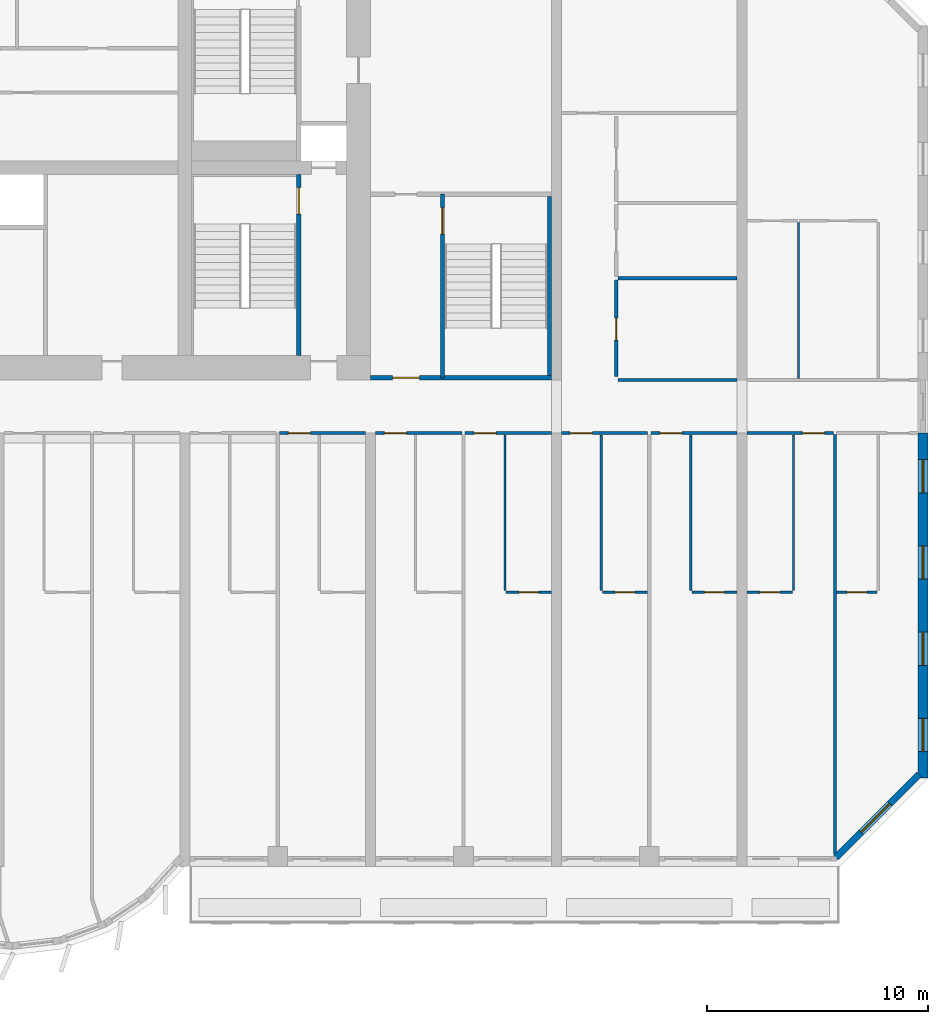
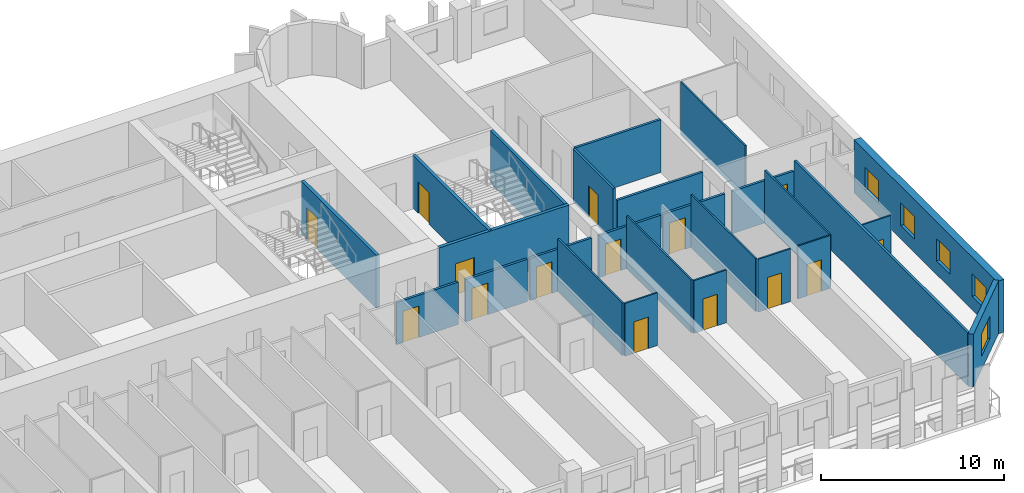
# One storey, part 9 of 15: 26 walls, 15 doors, 5 windows, 20 openings.
"""IFC4 building model written with IfcOpenShell, lengths in metres."""

import ifcopenshell
import ifcopenshell.guid

model = None  # the IFC model being written
_history = None  # IfcOwnerHistory: only IFC2X3 demands one
_inside = {}  # id of a spatial element -> (the spatial element, [elements in it])
_under = {}  # id of a project, library or spatial element -> (it, [spatial elements below it])
_declared = {}  # id of a project -> (the project, [libraries it declares])
_typed = {}  # id of a type object -> (the type object, [elements of that type])
_made_of = {}  # id of a material, layer set ... -> (it, [elements and type objects made of it])


def new_model(schema):
    """Start an empty IFC model of exactly this schema.

    Asked for "IFC4X3", IfcOpenShell would pick the latest addendum, in which some entities
    have other attributes; the version numbers below select the first issue.
    IFC2X3 requires an IfcOwnerHistory on every rooted entity: one is made here for all.
    """
    global model, _history
    if schema == "IFC4X3":
        model = ifcopenshell.file(schema_version=(4, 3, 0, 0))
    else:
        model = ifcopenshell.file(schema=schema)
    _inside.clear()
    _under.clear()
    _declared.clear()
    _typed.clear()
    _made_of.clear()
    _history = None
    if model.schema == "IFC2X3":
        org = make("IfcOrganization", Name="unknown")
        user = make(
            "IfcPersonAndOrganization",
            ThePerson=make("IfcPerson", FamilyName="unknown"),
            TheOrganization=org,
        )
        app = make(
            "IfcApplication",
            ApplicationDeveloper=org,
            Version="unknown",
            ApplicationFullName="unknown",
            ApplicationIdentifier="unknown",
        )
        _history = make(
            "IfcOwnerHistory",
            OwningUser=user,
            OwningApplication=app,
            ChangeAction="ADDED",
            CreationDate=0,
        )
    return model


def make(cls, **values):
    """One entity of the class cls with the attributes given. An attribute that is None is left unset."""
    return model.create_entity(
        cls, **{name: value for name, value in values.items() if value is not None}
    )


def rooted(cls, **values):
    """An entity with a GlobalId (a new one), such as an element, a storey or a relation."""
    return make(cls, GlobalId=ifcopenshell.guid.new(), OwnerHistory=_history, **values)


def si_unit(unit_type, name, prefix=None):
    """IfcSIUnit, for example si_unit("LENGTHUNIT", "METRE", prefix="MILLI")."""
    return make("IfcSIUnit", UnitType=unit_type, Prefix=prefix, Name=name)


def assignment(units):
    """IfcUnitAssignment: the units of a project."""
    return None if units is None else make("IfcUnitAssignment", Units=units)


def point(xyz):
    """IfcCartesianPoint."""
    return None if xyz is None else make("IfcCartesianPoint", Coordinates=xyz)


def direction(xyz):
    """IfcDirection."""
    return None if xyz is None else make("IfcDirection", DirectionRatios=xyz)


def frame(location, z_axis=None, x_axis=None):
    """IfcAxis2Placement3D, a coordinate frame: its origin and axes. An axis left out is left unset."""
    return make(
        "IfcAxis2Placement3D",
        Location=point(location),
        Axis=direction(z_axis),
        RefDirection=direction(x_axis),
    )


def frame_2d(location, x_axis=None):
    """IfcAxis2Placement2D, a coordinate frame in the plane: its origin and x axis."""
    return make(
        "IfcAxis2Placement2D", Location=point(location), RefDirection=direction(x_axis)
    )


def origin():
    """The frame at (0, 0, 0) with its axes left unset."""
    return frame((0.0, 0.0, 0.0))


def place(relative_to, where):
    """IfcLocalPlacement: puts the frame where relative to a parent placement (None: the world)."""
    return make(
        "IfcLocalPlacement", PlacementRelTo=relative_to, RelativePlacement=where
    )


def context(
    kind, dimensions, precision=None, world=None, true_north=None, identifier=None
):
    """IfcGeometricRepresentationContext, for example the 3D "Model" context."""
    return make(
        "IfcGeometricRepresentationContext",
        ContextIdentifier=identifier,
        ContextType=kind,
        CoordinateSpaceDimension=dimensions,
        Precision=precision,
        WorldCoordinateSystem=world,
        TrueNorth=true_north,
    )


def subcontext(parent, identifier, kind, view, scale=None):
    """IfcGeometricRepresentationSubContext, for example "Body" below "Model"."""
    return make(
        "IfcGeometricRepresentationSubContext",
        ContextIdentifier=identifier,
        ContextType=kind,
        ParentContext=parent,
        TargetScale=scale,
        TargetView=view,
    )


def project(units=None, contexts=None):
    """IfcProject with its units and contexts."""
    return rooted(
        "IfcProject",
        Name="project",
        RepresentationContexts=contexts,
        UnitsInContext=assignment(units),
    )


def spatial(cls, under=None, at=None, **own):
    """A site, building, storey or space (cls), placed at a placement, below another one or the project."""
    s = rooted(cls, ObjectPlacement=at, **own)
    if under is not None:
        _under.setdefault(under.id(), (under, []))[1].append(s)
    return s


def profile(cls, at=None, kind="AREA", **sizes):
    """A parametric profile (cls). Its sizes go by their IFC names, for example OverallWidth=200.0."""
    return make(cls, ProfileType=kind, Position=at, **sizes)


def rectangle(**sizes):
    """IfcRectangleProfileDef."""
    return profile("IfcRectangleProfileDef", **sizes)


def extrude(swept, where, along, depth):
    """IfcExtrudedAreaSolid: the profile swept, set in the frame where, extruded along a direction by depth."""
    return make(
        "IfcExtrudedAreaSolid",
        SweptArea=swept,
        Position=where,
        ExtrudedDirection=direction(along),
        Depth=depth,
    )


def shape(context_of_items, identifier, shape_type, items):
    """IfcShapeRepresentation: the items that make up one representation, for example the "Body"."""
    return make(
        "IfcShapeRepresentation",
        ContextOfItems=context_of_items,
        RepresentationIdentifier=identifier,
        RepresentationType=shape_type,
        Items=items,
    )


def source(mapping_origin, context_of_items, identifier, shape_type, items):
    """IfcRepresentationMap: a shape defined once, which mapped items show again and again."""
    return make(
        "IfcRepresentationMap",
        MappingOrigin=mapping_origin,
        MappedRepresentation=shape(context_of_items, identifier, shape_type, items),
    )


def transform(
    local_origin,
    x_axis=None,
    y_axis=None,
    z_axis=None,
    scale=None,
    scale2=None,
    scale3=None,
    uniform=True,
):
    """IfcCartesianTransformationOperator3D, or its non-uniform kind. x_axis, y_axis, z_axis: its Axis1, 2, 3."""
    if uniform:
        return make(
            "IfcCartesianTransformationOperator3D",
            Axis1=direction(x_axis),
            Axis2=direction(y_axis),
            LocalOrigin=point(local_origin),
            Scale=scale,
            Axis3=direction(z_axis),
        )
    return make(
        "IfcCartesianTransformationOperator3DnonUniform",
        Axis1=direction(x_axis),
        Axis2=direction(y_axis),
        LocalOrigin=point(local_origin),
        Scale=scale,
        Axis3=direction(z_axis),
        Scale2=scale2,
        Scale3=scale3,
    )


def mapped(mapping_source, mapping_target):
    """IfcMappedItem: shows the shape of a source again, moved by a transform."""
    return make(
        "IfcMappedItem", MappingSource=mapping_source, MappingTarget=mapping_target
    )


def material(Name=None, Category=None):
    """IfcMaterial."""
    return make("IfcMaterial", Name=Name, Category=Category)


def layer(
    of_material, thickness, ventilated=None, Name=None, Category=None, Priority=None
):
    """IfcMaterialLayer: one layer of a wall or slab, of a material (None: an air gap)."""
    return make(
        "IfcMaterialLayer",
        Material=of_material,
        LayerThickness=thickness,
        IsVentilated=ventilated,
        Name=Name,
        Category=Category,
        Priority=Priority,
    )


def layer_set(layers, Name=None):
    """IfcMaterialLayerSet."""
    return make("IfcMaterialLayerSet", MaterialLayers=layers, LayerSetName=Name)


def made_of(thing, what):
    """Note that an element or type object is made of a material, layer set ...; save() writes the relation."""
    if what is not None:
        _made_of.setdefault(what.id(), (what, []))[1].append(thing)
    return thing


def type_object(cls, material=None, **own):
    """A type object (cls), such as IfcWallType, which elements share."""
    return made_of(rooted(cls, **own), material)


def element(
    cls,
    number,
    at=None,
    inside=None,
    cuts=None,
    type_object=None,
    material=None,
    context=None,
    identifier="Body",
    shape_type=None,
    held_by="IfcProductDefinitionShape",
    body=None,
    shapes=None,
    **own,
):
    """One element of the class cls, such as IfcWall. Its Tag is "e" and its number.

    at: its placement. inside: the storey or other place that contains it. cuts: it is an
    opening in that element (IfcRelVoidsElement). A single representation is given by context,
    identifier, shape_type and body (its items); several are given by shapes. held_by: the class
    of the entity that holds the representations. save() writes the other relations.
    """
    e = rooted(cls, Tag="e%d" % number, ObjectPlacement=at, **own)
    if body is not None:
        shapes = [shape(context, identifier, shape_type, body)]
    if shapes is not None:
        e.Representation = make(held_by, Representations=shapes)
    if inside is not None:
        _inside.setdefault(inside.id(), (inside, []))[1].append(e)
    if cuts is not None:
        rooted(
            "IfcRelVoidsElement", RelatingBuildingElement=cuts, RelatedOpeningElement=e
        )
    if type_object is not None:
        _typed.setdefault(type_object.id(), (type_object, []))[1].append(e)
    return made_of(e, material)


def fill(opening, filler):
    """IfcRelFillsElement: the door or window that sits in an opening."""
    return rooted(
        "IfcRelFillsElement",
        RelatingOpeningElement=opening,
        RelatedBuildingElement=filler,
    )


def aggregate(whole, parts):
    """IfcRelAggregates: a whole, such as a stair, and the parts it consists of."""
    return rooted("IfcRelAggregates", RelatingObject=whole, RelatedObjects=parts)


def save(model, path):
    """Write the relations noted so far, then the file.

    IfcRelAggregates (storeys below a building ...), IfcRelContainedInSpatialStructure (elements
    in a storey), IfcRelDefinesByType, IfcRelAssociatesMaterial and IfcRelDeclares: one each for
    every whole, place, type object, material and project.
    """
    for whole, parts in _under.values():
        aggregate(whole, parts)
    for where, things in _inside.values():
        rooted(
            "IfcRelContainedInSpatialStructure",
            RelatedElements=things,
            RelatingStructure=where,
        )
    for kind, things in _typed.values():
        rooted("IfcRelDefinesByType", RelatedObjects=things, RelatingType=kind)
    for what, things in _made_of.values():
        rooted("IfcRelAssociatesMaterial", RelatedObjects=things, RelatingMaterial=what)
    for by, libraries in _declared.values():
        rooted("IfcRelDeclares", RelatingContext=by, RelatedDefinitions=libraries)
    model.write(path)


model = new_model("IFC4")

# Units and contexts
model_context = context("Model", 3, precision=1e-05, world=origin(), true_north=direction((0.0, 1.0)))
body_context = subcontext(model_context, "Body", "Model", "MODEL_VIEW")
ifc_project = project(units=[si_unit("LENGTHUNIT", "METRE"), si_unit("AREAUNIT", "SQUARE_METRE"), si_unit("VOLUMEUNIT", "CUBIC_METRE"), si_unit("PLANEANGLEUNIT", "RADIAN"), si_unit("MASSUNIT", "GRAM", prefix="KILO")], contexts=[model_context])

# Site, building, storey
site_placement = place(None, origin())
site = spatial("IfcSite", under=ifc_project, at=site_placement, CompositionType="ELEMENT")
building_placement = place(site_placement, origin())
building = spatial("IfcBuilding", under=site, at=building_placement, Name="Vanashikhar Sky Hotel", CompositionType="ELEMENT")
storey_placement = place(building_placement, frame((0.0, 0.0, 31.60009765625)))
storey = spatial("IfcBuildingStorey", under=building, at=storey_placement, Name="L06", CompositionType="ELEMENT", Elevation=31.60009765625)

# Wall, openings, windows
ifc_material_1 = material(Name="Concrete M80", Category="concrete")
ifc_layer_1 = layer(ifc_material_1, 0.449951171875)
ifc_layer_set_1 = layer_set([ifc_layer_1], Name="RC shear wall 450 Concrete M80")
wall_type_1 = type_object("IfcWallType", Name="RC shear wall 450 Concrete M80", PredefinedType="SHEAR", material=ifc_layer_set_1)
shared_shape_1 = source(origin(), body_context, "Body", "SweptSolid", [
    extrude(rectangle(XDim=15.60009765625, YDim=0.449951171875, at=frame_2d((7.800048828125, 0.0))), origin(), (0.0, 0.0, 1.0), 3.52001953125),
])
wall_1_placement = place(storey_placement, frame((100.574951171875, 4.0, 0.0), z_axis=(0.0, 0.0, 1.0), x_axis=(0.0, 1.0, 0.0)))
wall_1 = element("IfcWall", 1, at=wall_1_placement, inside=storey, type_object=wall_type_1, Name="CW-L06-XW13-1", PredefinedType="SHEAR", context=body_context, shape_type="MappedRepresentation", body=[
    mapped(shared_shape_1, transform((0.0, 0.0, 0.0), scale=1.0)),
])
shared_shape_2 = source(origin(), body_context, "Body", "SweptSolid", [
    extrude(rectangle(XDim=1.5, YDim=1.5, at=frame_2d((0.75, 0.75))), frame((0.0, 0.23486328125, 0.0), z_axis=(0.0, -1.0, 0.0), x_axis=(1.0, 0.0, 0.0)), (0.0, 0.0, 1.0), 0.469970703125),
])
opening_1_placement = place(wall_1_placement, frame((1.199951171875, 0.0, 0.89990234375)))
opening_1 = element("IfcOpeningElement", 2, at=opening_1_placement, cuts=wall_1, Name="Opening WN-1", PredefinedType="OPENING", context=body_context, shape_type="MappedRepresentation", body=[
    mapped(shared_shape_2, transform((0.0, 0.0, 0.0), scale=1.0)),
])
opening_2_placement = place(wall_1_placement, frame((5.10009765625, 0.0, 0.89990234375)))
opening_2 = element("IfcOpeningElement", 3, at=opening_2_placement, cuts=wall_1, Name="Opening WN-1", PredefinedType="OPENING", context=body_context, shape_type="MappedRepresentation", body=[
    mapped(shared_shape_2, transform((0.0, 0.0, 0.0), scale=1.0)),
])
opening_3_placement = place(wall_1_placement, frame((9.0, 0.0, 0.89990234375)))
opening_3 = element("IfcOpeningElement", 4, at=opening_3_placement, cuts=wall_1, Name="Opening WN-1", PredefinedType="OPENING", context=body_context, shape_type="MappedRepresentation", body=[
    mapped(shared_shape_2, transform((0.0, 0.0, 0.0), scale=1.0)),
])
opening_4_placement = place(wall_1_placement, frame((12.89990234375, 0.0, 0.89990234375)))
opening_4 = element("IfcOpeningElement", 5, at=opening_4_placement, cuts=wall_1, Name="Opening WN-1", PredefinedType="OPENING", context=body_context, shape_type="MappedRepresentation", body=[
    mapped(shared_shape_2, transform((0.0, 0.0, 0.0), scale=1.0)),
])
ifc_material_2 = material(Name="Glass", Category="glass")
window_type_1 = type_object("IfcWindowType", Name="Window 1500 x 1500", PartitioningType="SINGLE_PANEL", PredefinedType="WINDOW", material=ifc_material_2)
shared_shape_3 = source(origin(), body_context, "Body", "SweptSolid", [
    extrude(rectangle(XDim=1.5, YDim=1.5, at=frame_2d((0.75, 0.75))), frame((0.0, 0.030029296875, 0.0), z_axis=(0.0, -1.0, 0.0), x_axis=(1.0, 0.0, 0.0)), (0.0, 0.0, 1.0), 0.06005859375),
])
window_1_placement = place(opening_1_placement, origin())
window_1 = element("IfcWindow", 6, at=window_1_placement, inside=storey, type_object=window_type_1, Name="Window WN-1", OverallHeight=1.5, OverallWidth=1.5, PartitioningType="SINGLE_PANEL", PredefinedType="WINDOW", context=body_context, shape_type="MappedRepresentation", body=[
    mapped(shared_shape_3, transform((0.0, 0.0, 0.0), scale=1.0)),
])
fill(opening_1, window_1)
window_2_placement = place(opening_2_placement, origin())
window_2 = element("IfcWindow", 7, at=window_2_placement, inside=storey, type_object=window_type_1, Name="Window WN-1", OverallHeight=1.5, OverallWidth=1.5, PartitioningType="SINGLE_PANEL", PredefinedType="WINDOW", context=body_context, shape_type="MappedRepresentation", body=[
    mapped(shared_shape_3, transform((0.0, 0.0, 0.0), scale=1.0)),
])
fill(opening_2, window_2)
window_3_placement = place(opening_3_placement, origin())
window_3 = element("IfcWindow", 8, at=window_3_placement, inside=storey, type_object=window_type_1, Name="Window WN-1", OverallHeight=1.5, OverallWidth=1.5, PartitioningType="SINGLE_PANEL", PredefinedType="WINDOW", context=body_context, shape_type="MappedRepresentation", body=[
    mapped(shared_shape_3, transform((0.0, 0.0, 0.0), scale=1.0)),
])
fill(opening_3, window_3)
window_4_placement = place(opening_4_placement, origin())
window_4 = element("IfcWindow", 9, at=window_4_placement, inside=storey, type_object=window_type_1, Name="Window WN-1", OverallHeight=1.5, OverallWidth=1.5, PartitioningType="SINGLE_PANEL", PredefinedType="WINDOW", context=body_context, shape_type="MappedRepresentation", body=[
    mapped(shared_shape_3, transform((0.0, 0.0, 0.0), scale=1.0)),
])
fill(opening_4, window_4)

# Wall, opening, window
ifc_material_3 = material(Name="Concrete M50", Category="concrete")
ifc_layer_2 = layer(ifc_material_3, 0.300048828125)
ifc_layer_set_2 = layer_set([ifc_layer_2], Name="Lobe wall 300")
wall_type_2 = type_object("IfcWallType", Name="Lobe wall 300", PredefinedType="SOLIDWALL", material=ifc_layer_set_2)
shared_shape_4 = source(origin(), body_context, "Body", "SweptSolid", [
    extrude(rectangle(XDim=5.32568359375, YDim=0.300048828125, at=frame_2d((2.662841796875, 0.0))), origin(), (0.0, 0.0, 1.0), 3.52001953125),
])
wall_2_placement = place(storey_placement, frame((96.63427734375, 0.39990234375, 0.0), z_axis=(0.0, 0.0, 1.0), x_axis=(0.707083859269, 0.707129702361, 0.0)))
wall_2 = element("IfcWall", 10, at=wall_2_placement, inside=storey, type_object=wall_type_2, Name="Corner wall", PredefinedType="SOLIDWALL", context=body_context, shape_type="MappedRepresentation", body=[
    mapped(shared_shape_4, transform((0.0, 0.0, 0.0), scale=1.0)),
])
shared_shape_5 = source(origin(), body_context, "Body", "SweptSolid", [
    extrude(rectangle(XDim=1.800048828125, YDim=1.5, at=frame_2d((0.89990234375, 0.75))), frame((0.0, 0.16015625, 0.0), z_axis=(0.0, -1.0, 0.0), x_axis=(1.0, 0.0, 0.0)), (0.0, 0.0, 1.0), 0.320068359375),
])
opening_5_placement = place(wall_2_placement, frame((1.636474609375, 0.0, 0.89990234375)))
opening_5 = element("IfcOpeningElement", 11, at=opening_5_placement, cuts=wall_2, Name="Opening WN-4", PredefinedType="OPENING", context=body_context, shape_type="MappedRepresentation", body=[
    mapped(shared_shape_5, transform((0.0, 0.0, 0.0), scale=1.0)),
])
window_type_2 = type_object("IfcWindowType", Name="Corner window 1800 x 1500", PartitioningType="SINGLE_PANEL", PredefinedType="WINDOW", material=ifc_material_2)
shared_shape_6 = source(origin(), body_context, "Body", "SweptSolid", [
    extrude(rectangle(XDim=1.800048828125, YDim=1.5, at=frame_2d((0.89990234375, 0.75))), frame((0.0, 0.030029296875, 0.0), z_axis=(0.0, -1.0, 0.0), x_axis=(1.0, 0.0, 0.0)), (0.0, 0.0, 1.0), 0.06005859375),
])
window_5_placement = place(opening_5_placement, origin())
window_5 = element("IfcWindow", 12, at=window_5_placement, inside=storey, type_object=window_type_2, Name="Window WN-4", OverallHeight=1.5, OverallWidth=1.800048828125, PartitioningType="SINGLE_PANEL", PredefinedType="WINDOW", context=body_context, shape_type="MappedRepresentation", body=[
    mapped(shared_shape_6, transform((0.0, 0.0, 0.0), scale=1.0)),
])
fill(opening_5, window_5)

# Wall, opening, door
ifc_layer_3 = layer(ifc_material_3, 0.199951171875)
ifc_layer_set_3 = layer_set([ifc_layer_3], Name="Stair wall 200")
wall_type_3 = type_object("IfcWallType", Name="Stair wall 200", PredefinedType="SOLIDWALL", material=ifc_layer_set_3)
shared_shape_7 = source(origin(), body_context, "Body", "SweptSolid", [
    extrude(rectangle(XDim=8.199951171875, YDim=0.199951171875, at=frame_2d((4.10009765625, 0.0))), origin(), (0.0, 0.0, 1.0), 3.52001953125),
])
wall_3_placement = place(storey_placement, frame((72.35009765625, 23.10009765625, 0.0), z_axis=(0.0, 0.0, 1.0), x_axis=(0.0, 1.0, 0.0)))
wall_3 = element("IfcWall", 13, at=wall_3_placement, inside=storey, type_object=wall_type_3, Name="Stair wall 200", PredefinedType="SOLIDWALL", context=body_context, shape_type="MappedRepresentation", body=[
    mapped(shared_shape_7, transform((0.0, 0.0, 0.0), scale=1.0)),
])
shared_shape_8 = source(origin(), body_context, "Body", "SweptSolid", [
    extrude(rectangle(XDim=1.199951171875, YDim=2.10009765625, at=frame_2d((0.60009765625, 1.050048828125))), frame((0.0, 0.10986328125, 0.0), z_axis=(0.0, -1.0, 0.0), x_axis=(1.0, 0.0, 0.0)), (0.0, 0.0, 1.0), 0.219970703125),
])
opening_6_placement = place(wall_3_placement, frame((6.39990234375, 0.0, 0.0)))
opening_6 = element("IfcOpeningElement", 14, at=opening_6_placement, cuts=wall_3, Name="Opening DC-1", PredefinedType="OPENING", context=body_context, shape_type="MappedRepresentation", body=[
    mapped(shared_shape_8, transform((0.0, 0.0, 0.0), scale=1.0)),
])
ifc_material_4 = material(Name="Steel", Category="steel")
door_type_1 = type_object("IfcDoorType", Name="Stair door 1200 FD120", OperationType="NOTDEFINED", PredefinedType="DOOR", material=ifc_material_4)
shared_shape_9 = source(origin(), body_context, "Body", "SweptSolid", [
    extrude(rectangle(XDim=1.199951171875, YDim=2.10009765625, at=frame_2d((0.60009765625, 1.050048828125))), frame((0.0, 0.02490234375, 0.0), z_axis=(0.0, -1.0, 0.0), x_axis=(1.0, 0.0, 0.0)), (0.0, 0.0, 1.0), 0.050048828125),
])
door_1_placement = place(opening_6_placement, origin())
door_1 = element("IfcDoor", 15, at=door_1_placement, inside=storey, type_object=door_type_1, Name="Stair door 1200 FD120", OperationType="SINGLE_SWING_LEFT", OverallHeight=2.10009765625, OverallWidth=1.199951171875, PredefinedType="DOOR", context=body_context, shape_type="MappedRepresentation", body=[
    mapped(shared_shape_9, transform((0.0, 0.0, 0.0), scale=1.0)),
])
fill(opening_6, door_1)

shared_shape_10 = source(origin(), body_context, "Body", "SweptSolid", [
    extrude(rectangle(XDim=8.2998046875, YDim=0.199951171875, at=frame_2d((4.14990234375, 0.0))), origin(), (0.0, 0.0, 1.0), 3.52001953125),
])
wall_4_placement = place(storey_placement, frame((78.85009765625, 22.10009765625, 0.0), z_axis=(0.0, 0.0, 1.0), x_axis=(0.0, 1.0, 0.0)))
wall_4 = element("IfcWall", 16, at=wall_4_placement, inside=storey, type_object=wall_type_3, Name="Stair wall 200", PredefinedType="SOLIDWALL", context=body_context, shape_type="MappedRepresentation", body=[
    mapped(shared_shape_10, transform((0.0, 0.0, 0.0), scale=1.0)),
])
opening_7_placement = place(wall_4_placement, frame((6.5, 0.0, 0.0)))
opening_7 = element("IfcOpeningElement", 17, at=opening_7_placement, cuts=wall_4, Name="Opening DC-1", PredefinedType="OPENING", context=body_context, shape_type="MappedRepresentation", body=[
    mapped(shared_shape_8, transform((0.0, 0.0, 0.0), scale=1.0)),
])
door_2_placement = place(opening_7_placement, origin())
door_2 = element("IfcDoor", 18, at=door_2_placement, inside=storey, type_object=door_type_1, Name="Stair door 1200 FD120", OperationType="SINGLE_SWING_RIGHT", OverallHeight=2.10009765625, OverallWidth=1.199951171875, PredefinedType="DOOR", context=body_context, shape_type="MappedRepresentation", body=[
    mapped(shared_shape_9, transform((0.0, 0.0, 0.0), scale=1.0)),
])
fill(opening_7, door_2)

shared_shape_11 = source(origin(), body_context, "Body", "SweptSolid", [
    extrude(rectangle(XDim=8.1748046875, YDim=0.199951171875, at=frame_2d((4.08740234375, 0.0))), origin(), (0.0, 0.0, 1.0), 3.52001953125),
])
wall_5_placement = place(storey_placement, frame((83.77490234375, 22.10009765625, 0.0), z_axis=(0.0, 0.0, 1.0), x_axis=(-1.0, 0.0, 0.0)))
wall_5 = element("IfcWall", 19, at=wall_5_placement, inside=storey, type_object=wall_type_3, Name="Stair wall 200", PredefinedType="SOLIDWALL", context=body_context, shape_type="MappedRepresentation", body=[
    mapped(shared_shape_11, transform((0.0, 0.0, 0.0), scale=1.0)),
])
opening_8_placement = place(wall_5_placement, frame((5.97509765625, 0.0, 0.0)))
opening_8 = element("IfcOpeningElement", 20, at=opening_8_placement, cuts=wall_5, Name="Opening DC-2", PredefinedType="OPENING", context=body_context, shape_type="MappedRepresentation", body=[
    mapped(shared_shape_8, transform((0.0, 0.0, 0.0), scale=1.0)),
])
door_type_2 = type_object("IfcDoorType", Name="Firefighting lobby door 1200 FD120", OperationType="NOTDEFINED", PredefinedType="DOOR", material=ifc_material_4)
door_3_placement = place(opening_8_placement, origin())
door_3 = element("IfcDoor", 21, at=door_3_placement, inside=storey, type_object=door_type_2, Name="Firefighting lobby door 1200 FD120", OperationType="SINGLE_SWING_RIGHT", OverallHeight=2.10009765625, OverallWidth=1.199951171875, PredefinedType="DOOR", context=body_context, shape_type="MappedRepresentation", body=[
    mapped(shared_shape_9, transform((0.0, 0.0, 0.0), scale=1.0)),
])
fill(opening_8, door_3)

# Walls
ifc_layer_4 = layer(ifc_material_3, 0.175048828125)
ifc_layer_set_4 = layer_set([ifc_layer_4], Name="Stair infill wall 175")
wall_type_4 = type_object("IfcWallType", Name="Stair infill wall 175", PredefinedType="SOLIDWALL", material=ifc_layer_set_4)
shared_shape_12 = source(origin(), body_context, "Body", "SweptSolid", [
    extrude(rectangle(XDim=8.10009765625, YDim=0.175048828125, at=frame_2d((4.050048828125, 0.0))), origin(), (0.0, 0.0, 1.0), 3.52001953125),
])
wall_6_placement = place(storey_placement, frame((83.68798828125, 22.199951171875, 0.0), z_axis=(0.0, 0.0, 1.0), x_axis=(0.0, 1.0, 0.0)))
element("IfcWall", 22, at=wall_6_placement, inside=storey, type_object=wall_type_4, Name="Stair infill wall 175", PredefinedType="SOLIDWALL", context=body_context, shape_type="MappedRepresentation", body=[
    mapped(shared_shape_12, transform((0.0, 0.0, 0.0), scale=1.0)),
])
ifc_material_5 = material(Name="Gypsum plasterboard partition")
ifc_layer_5 = layer(ifc_material_5, 0.10009765625)
ifc_layer_set_5 = layer_set([ifc_layer_5], Name="Wet room partition 100")
wall_type_5 = type_object("IfcWallType", Name="Wet room partition 100", PredefinedType="PARTITIONING", material=ifc_layer_set_5)
shared_shape_13 = source(origin(), body_context, "Body", "SweptSolid", [
    extrude(rectangle(XDim=7.0498046875, YDim=0.10009765625, at=frame_2d((3.52490234375, 0.0))), origin(), (0.0, 0.0, 1.0), 3.52001953125),
])
for number, where, z_axis, x_axis, name in (
    (23, (81.675048828125, 12.47509765625, 0.0), (0.0, 0.0, 1.0), (0.0, 1.0, 0.0), "W-L06-PW067"),
    (24, (86.02490234375, 12.47509765625, 0.0), (0.0, 0.0, 1.0), (0.0, 1.0, 0.0), "W-L06-PW071"),
    (25, (90.074951171875, 12.47509765625, 0.0), (0.0, 0.0, 1.0), (0.0, 1.0, 0.0), "W-L06-PW074"),
    (26, (94.72509765625, 12.47509765625, 0.0), (0.0, 0.0, 1.0), (0.0, 1.0, 0.0), "W-L06-PW078"),
):
    element("IfcWall", number, at=place(storey_placement, frame(where, z_axis=z_axis, x_axis=x_axis)), inside=storey, type_object=wall_type_5, Name=name, PredefinedType="PARTITIONING", context=body_context, shape_type="MappedRepresentation", body=[
        mapped(shared_shape_13, transform((0.0, 0.0, 0.0), scale=1.0)),
    ])

# Wall, opening, door
shared_shape_14 = source(origin(), body_context, "Body", "SweptSolid", [
    extrude(rectangle(XDim=1.824951171875, YDim=0.10009765625, at=frame_2d((0.91259765625, 0.0))), origin(), (0.0, 0.0, 1.0), 3.52001953125),
])
wall_7_placement = place(storey_placement, frame((96.675048828125, 12.39990234375, 0.0), z_axis=(0.0, 0.0, 1.0), x_axis=(1.0, 0.0, 0.0)))
wall_7 = element("IfcWall", 27, at=wall_7_placement, inside=storey, type_object=wall_type_5, Name="W-L06-PW082", PredefinedType="PARTITIONING", context=body_context, shape_type="MappedRepresentation", body=[
    mapped(shared_shape_14, transform((0.0, 0.0, 0.0), scale=1.0)),
])
shared_shape_15 = source(origin(), body_context, "Body", "SweptSolid", [
    extrude(rectangle(XDim=0.89990234375, YDim=2.10009765625, at=frame_2d((0.449951171875, 1.050048828125))), frame((0.0, 0.06005859375, 0.0), z_axis=(0.0, -1.0, 0.0), x_axis=(1.0, 0.0, 0.0)), (0.0, 0.0, 1.0), 0.1201171875),
])
opening_9_placement = place(wall_7_placement, frame((0.462890625, 0.0, 0.0)))
opening_9 = element("IfcOpeningElement", 28, at=opening_9_placement, cuts=wall_7, Name="Opening D-02", PredefinedType="OPENING", context=body_context, shape_type="MappedRepresentation", body=[
    mapped(shared_shape_15, transform((0.0, 0.0, 0.0), scale=1.0)),
])
ifc_material_6 = material(Name="Timber door", Category="wood")
door_type_3 = type_object("IfcDoorType", Name="Internal door 900", OperationType="NOTDEFINED", PredefinedType="DOOR", material=ifc_material_6)
shared_shape_16 = source(origin(), body_context, "Body", "SweptSolid", [
    extrude(rectangle(XDim=0.89990234375, YDim=2.10009765625, at=frame_2d((0.449951171875, 1.050048828125))), frame((0.0, 0.02490234375, 0.0), z_axis=(0.0, -1.0, 0.0), x_axis=(1.0, 0.0, 0.0)), (0.0, 0.0, 1.0), 0.050048828125),
])
door_4_placement = place(opening_9_placement, origin())
door_4 = element("IfcDoor", 29, at=door_4_placement, inside=storey, type_object=door_type_3, Name="D-L06-047", OperationType="SINGLE_SWING_RIGHT", OverallHeight=2.10009765625, OverallWidth=0.89990234375, PredefinedType="DOOR", context=body_context, shape_type="MappedRepresentation", body=[
    mapped(shared_shape_16, transform((0.0, 0.0, 0.0), scale=1.0)),
])
fill(opening_9, door_4)

shared_shape_17 = source(origin(), body_context, "Body", "SweptSolid", [
    extrude(rectangle(XDim=2.050048828125, YDim=0.10009765625, at=frame_2d((1.02490234375, 0.0))), origin(), (0.0, 0.0, 1.0), 3.52001953125),
])
wall_8_placement = place(storey_placement, frame((86.074951171875, 12.39990234375, 0.0), z_axis=(0.0, 0.0, 1.0), x_axis=(1.0, 0.0, 0.0)))
wall_8 = element("IfcWall", 30, at=wall_8_placement, inside=storey, type_object=wall_type_5, Name="W-L06-PW072", PredefinedType="PARTITIONING", context=body_context, shape_type="MappedRepresentation", body=[
    mapped(shared_shape_17, transform((0.0, 0.0, 0.0), scale=1.0)),
])
opening_10_placement = place(wall_8_placement, frame((0.574951171875, 0.0, 0.0)))
opening_10 = element("IfcOpeningElement", 31, at=opening_10_placement, cuts=wall_8, Name="Opening D-02", PredefinedType="OPENING", context=body_context, shape_type="MappedRepresentation", body=[
    mapped(shared_shape_15, transform((0.0, 0.0, 0.0), scale=1.0)),
])
door_5_placement = place(opening_10_placement, origin())
door_5 = element("IfcDoor", 32, at=door_5_placement, inside=storey, type_object=door_type_3, Name="D-L06-041", OperationType="SINGLE_SWING_LEFT", OverallHeight=2.10009765625, OverallWidth=0.89990234375, PredefinedType="DOOR", context=body_context, shape_type="MappedRepresentation", body=[
    mapped(shared_shape_16, transform((0.0, 0.0, 0.0), scale=1.0)),
])
fill(opening_10, door_5)

wall_9_placement = place(storey_placement, frame((90.125, 12.39990234375, 0.0), z_axis=(0.0, 0.0, 1.0), x_axis=(1.0, 0.0, 0.0)))
wall_9 = element("IfcWall", 33, at=wall_9_placement, inside=storey, type_object=wall_type_5, Name="W-L06-PW075", PredefinedType="PARTITIONING", context=body_context, shape_type="MappedRepresentation", body=[
    mapped(shared_shape_17, transform((0.0, 0.0, 0.0), scale=1.0)),
])
opening_11_placement = place(wall_9_placement, frame((0.574951171875, 0.0, 0.0)))
opening_11 = element("IfcOpeningElement", 34, at=opening_11_placement, cuts=wall_9, Name="Opening D-02", PredefinedType="OPENING", context=body_context, shape_type="MappedRepresentation", body=[
    mapped(shared_shape_15, transform((0.0, 0.0, 0.0), scale=1.0)),
])
door_6_placement = place(opening_11_placement, origin())
door_6 = element("IfcDoor", 35, at=door_6_placement, inside=storey, type_object=door_type_3, Name="D-L06-043", OperationType="SINGLE_SWING_LEFT", OverallHeight=2.10009765625, OverallWidth=0.89990234375, PredefinedType="DOOR", context=body_context, shape_type="MappedRepresentation", body=[
    mapped(shared_shape_16, transform((0.0, 0.0, 0.0), scale=1.0)),
])
fill(opening_11, door_6)

wall_10_placement = place(storey_placement, frame((92.625, 12.39990234375, 0.0), z_axis=(0.0, 0.0, 1.0), x_axis=(1.0, 0.0, 0.0)))
wall_10 = element("IfcWall", 36, at=wall_10_placement, inside=storey, type_object=wall_type_5, Name="W-L06-PW079", PredefinedType="PARTITIONING", context=body_context, shape_type="MappedRepresentation", body=[
    mapped(shared_shape_17, transform((0.0, 0.0, 0.0), scale=1.0)),
])
opening_12_placement = place(wall_10_placement, frame((0.574951171875, 0.0, 0.0)))
opening_12 = element("IfcOpeningElement", 37, at=opening_12_placement, cuts=wall_10, Name="Opening D-02", PredefinedType="OPENING", context=body_context, shape_type="MappedRepresentation", body=[
    mapped(shared_shape_15, transform((0.0, 0.0, 0.0), scale=1.0)),
])
door_7_placement = place(opening_12_placement, origin())
door_7 = element("IfcDoor", 38, at=door_7_placement, inside=storey, type_object=door_type_3, Name="D-L06-045", OperationType="SINGLE_SWING_RIGHT", OverallHeight=2.10009765625, OverallWidth=0.89990234375, PredefinedType="DOOR", context=body_context, shape_type="MappedRepresentation", body=[
    mapped(shared_shape_16, transform((0.0, 0.0, 0.0), scale=1.0)),
])
fill(opening_12, door_7)

# Wall
ifc_layer_6 = layer(ifc_material_5, 0.14990234375)
ifc_layer_set_6 = layer_set([ifc_layer_6], Name="Corridor and demising partition 150")
wall_type_6 = type_object("IfcWallType", Name="Corridor and demising partition 150", PredefinedType="PARTITIONING", material=ifc_layer_set_6)
shared_shape_18 = source(origin(), body_context, "Body", "SweptSolid", [
    extrude(rectangle(XDim=18.947021484375, YDim=0.14990234375, at=frame_2d((9.4736328125, 0.0))), origin(), (0.0, 0.0, 1.0), 3.52001953125),
])
wall_11_placement = place(storey_placement, frame((96.60009765625, 0.577880859375, 0.0), z_axis=(0.0, 0.0, 1.0), x_axis=(0.0, 1.0, 0.0)))
element("IfcWall", 39, at=wall_11_placement, inside=storey, type_object=wall_type_6, Name="W-L06-PW084", PredefinedType="PARTITIONING", context=body_context, shape_type="MappedRepresentation", body=[
    mapped(shared_shape_18, transform((0.0, 0.0, 0.0), scale=1.0)),
])

# Wall, opening, door
shared_shape_19 = source(origin(), body_context, "Body", "SweptSolid", [
    extrude(rectangle(XDim=2.0498046875, YDim=0.10009765625, at=frame_2d((1.02490234375, 0.0))), origin(), (0.0, 0.0, 1.0), 3.52001953125),
])
wall_12_placement = place(storey_placement, frame((81.72509765625, 12.39990234375, 0.0), z_axis=(0.0, 0.0, 1.0), x_axis=(1.0, 0.0, 0.0)))
wall_12 = element("IfcWall", 40, at=wall_12_placement, inside=storey, type_object=wall_type_5, Name="W-L06-PW068", PredefinedType="PARTITIONING", context=body_context, shape_type="MappedRepresentation", body=[
    mapped(shared_shape_19, transform((0.0, 0.0, 0.0), scale=1.0)),
])
opening_13_placement = place(wall_12_placement, frame((0.574951171875, 0.0, 0.0)))
opening_13 = element("IfcOpeningElement", 41, at=opening_13_placement, cuts=wall_12, Name="Opening D-02", PredefinedType="OPENING", context=body_context, shape_type="MappedRepresentation", body=[
    mapped(shared_shape_15, transform((0.0, 0.0, 0.0), scale=1.0)),
])
door_8_placement = place(opening_13_placement, origin())
door_8 = element("IfcDoor", 42, at=door_8_placement, inside=storey, type_object=door_type_3, Name="D-L06-039", OperationType="SINGLE_SWING_LEFT", OverallHeight=2.10009765625, OverallWidth=0.89990234375, PredefinedType="DOOR", context=body_context, shape_type="MappedRepresentation", body=[
    mapped(shared_shape_16, transform((0.0, 0.0, 0.0), scale=1.0)),
])
fill(opening_13, door_8)

shared_shape_20 = source(origin(), body_context, "Body", "SweptSolid", [
    extrude(rectangle(XDim=4.375, YDim=0.14990234375, at=frame_2d((2.1875, 0.0))), origin(), (0.0, 0.0, 1.0), 3.52001953125),
])
wall_13_placement = place(storey_placement, frame((86.699951171875, 22.14990234375, 0.0), z_axis=(0.0, 0.0, 1.0), x_axis=(0.0, 1.0, 0.0)))
wall_13 = element("IfcWall", 43, at=wall_13_placement, inside=storey, type_object=wall_type_6, Name="W-L06-PW102", PredefinedType="PARTITIONING", context=body_context, shape_type="MappedRepresentation", body=[
    mapped(shared_shape_20, transform((0.0, 0.0, 0.0), scale=1.0)),
])
shared_shape_21 = source(origin(), body_context, "Body", "SweptSolid", [
    extrude(rectangle(XDim=1.0, YDim=2.10009765625, at=frame_2d((0.5, 1.050048828125))), frame((0.0, 0.0849609375, 0.0), z_axis=(0.0, -1.0, 0.0), x_axis=(1.0, 0.0, 0.0)), (0.0, 0.0, 1.0), 0.169921875),
])
opening_14_placement = place(wall_13_placement, frame((1.64990234375, 0.0, 0.0)))
opening_14 = element("IfcOpeningElement", 44, at=opening_14_placement, cuts=wall_13, Name="Opening D-01", PredefinedType="OPENING", context=body_context, shape_type="MappedRepresentation", body=[
    mapped(shared_shape_21, transform((0.0, 0.0, 0.0), scale=1.0)),
])
ifc_material_7 = material(Name="Timber fire door", Category="wood")
door_type_4 = type_object("IfcDoorType", Name="Guest entry door 1000 FD30S", OperationType="NOTDEFINED", PredefinedType="DOOR", material=ifc_material_7)
shared_shape_22 = source(origin(), body_context, "Body", "SweptSolid", [
    extrude(rectangle(XDim=1.0, YDim=2.10009765625, at=frame_2d((0.5, 1.050048828125))), frame((0.0, 0.02490234375, 0.0), z_axis=(0.0, -1.0, 0.0), x_axis=(1.0, 0.0, 0.0)), (0.0, 0.0, 1.0), 0.050048828125),
])
door_9_placement = place(opening_14_placement, origin())
door_9 = element("IfcDoor", 45, at=door_9_placement, inside=storey, type_object=door_type_4, Name="D-L06-057", OperationType="SINGLE_SWING_LEFT", OverallHeight=2.10009765625, OverallWidth=1.0, PredefinedType="DOOR", context=body_context, shape_type="MappedRepresentation", body=[
    mapped(shared_shape_22, transform((0.0, 0.0, 0.0), scale=1.0)),
])
fill(opening_14, door_9)

# Wall
shared_shape_23 = source(origin(), body_context, "Body", "SweptSolid", [
    extrude(rectangle(XDim=7.050048828125, YDim=0.10009765625, at=frame_2d((3.52490234375, 0.0))), origin(), (0.0, 0.0, 1.0), 3.52001953125),
])
wall_14_placement = place(storey_placement, frame((94.949951171875, 22.074951171875, 0.0), z_axis=(0.0, 0.0, 1.0), x_axis=(0.0, 1.0, 0.0)))
element("IfcWall", 46, at=wall_14_placement, inside=storey, type_object=wall_type_5, Name="W-L06-PW109", PredefinedType="PARTITIONING", context=body_context, shape_type="MappedRepresentation", body=[
    mapped(shared_shape_23, transform((0.0, 0.0, 0.0), scale=1.0)),
])

# Wall, opening, door
shared_shape_24 = source(origin(), body_context, "Body", "SweptSolid", [
    extrude(rectangle(XDim=3.900146484375, YDim=0.14990234375, at=frame_2d((1.9501953125, 0.0))), origin(), (0.0, 0.0, 1.0), 2.81982421875),
])
wall_15_placement = place(storey_placement, frame((75.824951171875, 19.60009765625, 0.0), z_axis=(0.0, 0.0, 1.0), x_axis=(1.0, 0.0, 0.0)))
wall_15 = element("IfcWall", 47, at=wall_15_placement, inside=storey, type_object=wall_type_6, Name="W-L06-PW066", PredefinedType="PARTITIONING", context=body_context, shape_type="MappedRepresentation", body=[
    mapped(shared_shape_24, transform((0.0, 0.0, 0.0), scale=1.0)),
])
opening_15_placement = place(wall_15_placement, frame((0.39990234375, 0.0, 0.0)))
opening_15 = element("IfcOpeningElement", 48, at=opening_15_placement, cuts=wall_15, Name="Opening D-01", PredefinedType="OPENING", context=body_context, shape_type="MappedRepresentation", body=[
    mapped(shared_shape_21, transform((0.0, 0.0, 0.0), scale=1.0)),
])
door_10_placement = place(opening_15_placement, origin())
door_10 = element("IfcDoor", 49, at=door_10_placement, inside=storey, type_object=door_type_4, Name="D-L06-038", OperationType="SINGLE_SWING_LEFT", OverallHeight=2.10009765625, OverallWidth=1.0, PredefinedType="DOOR", context=body_context, shape_type="MappedRepresentation", body=[
    mapped(shared_shape_22, transform((0.0, 0.0, 0.0), scale=1.0)),
])
fill(opening_15, door_10)

wall_16_placement = place(storey_placement, frame((88.27490234375, 19.60009765625, 0.0), z_axis=(0.0, 0.0, 1.0), x_axis=(1.0, 0.0, 0.0)))
wall_16 = element("IfcWall", 50, at=wall_16_placement, inside=storey, type_object=wall_type_6, Name="W-L06-PW076", PredefinedType="PARTITIONING", context=body_context, shape_type="MappedRepresentation", body=[
    mapped(shared_shape_24, transform((0.0, 0.0, 0.0), scale=1.0)),
])
opening_16_placement = place(wall_16_placement, frame((0.39990234375, 0.0, 0.0)))
opening_16 = element("IfcOpeningElement", 51, at=opening_16_placement, cuts=wall_16, Name="Opening D-01", PredefinedType="OPENING", context=body_context, shape_type="MappedRepresentation", body=[
    mapped(shared_shape_21, transform((0.0, 0.0, 0.0), scale=1.0)),
])
door_11_placement = place(opening_16_placement, origin())
door_11 = element("IfcDoor", 52, at=door_11_placement, inside=storey, type_object=door_type_4, Name="D-L06-044", OperationType="SINGLE_SWING_LEFT", OverallHeight=2.10009765625, OverallWidth=1.0, PredefinedType="DOOR", context=body_context, shape_type="MappedRepresentation", body=[
    mapped(shared_shape_22, transform((0.0, 0.0, 0.0), scale=1.0)),
])
fill(opening_16, door_11)

shared_shape_25 = source(origin(), body_context, "Body", "SweptSolid", [
    extrude(rectangle(XDim=3.89990234375, YDim=0.14990234375, at=frame_2d((1.949951171875, 0.0))), origin(), (0.0, 0.0, 1.0), 2.81982421875),
])
wall_17_placement = place(storey_placement, frame((71.47509765625, 19.60009765625, 0.0), z_axis=(0.0, 0.0, 1.0), x_axis=(1.0, 0.0, 0.0)))
wall_17 = element("IfcWall", 53, at=wall_17_placement, inside=storey, type_object=wall_type_6, Name="W-L06-PW062", PredefinedType="PARTITIONING", context=body_context, shape_type="MappedRepresentation", body=[
    mapped(shared_shape_25, transform((0.0, 0.0, 0.0), scale=1.0)),
])
opening_17_placement = place(wall_17_placement, frame((0.39990234375, 0.0, 0.0)))
opening_17 = element("IfcOpeningElement", 54, at=opening_17_placement, cuts=wall_17, Name="Opening D-01", PredefinedType="OPENING", context=body_context, shape_type="MappedRepresentation", body=[
    mapped(shared_shape_21, transform((0.0, 0.0, 0.0), scale=1.0)),
])
door_12_placement = place(opening_17_placement, origin())
door_12 = element("IfcDoor", 55, at=door_12_placement, inside=storey, type_object=door_type_4, Name="D-L06-036", OperationType="SINGLE_SWING_LEFT", OverallHeight=2.10009765625, OverallWidth=1.0, PredefinedType="DOOR", context=body_context, shape_type="MappedRepresentation", body=[
    mapped(shared_shape_22, transform((0.0, 0.0, 0.0), scale=1.0)),
])
fill(opening_17, door_12)

wall_18_placement = place(storey_placement, frame((79.875, 19.60009765625, 0.0), z_axis=(0.0, 0.0, 1.0), x_axis=(1.0, 0.0, 0.0)))
wall_18 = element("IfcWall", 56, at=wall_18_placement, inside=storey, type_object=wall_type_6, Name="W-L06-PW069", PredefinedType="PARTITIONING", context=body_context, shape_type="MappedRepresentation", body=[
    mapped(shared_shape_25, transform((0.0, 0.0, 0.0), scale=1.0)),
])
opening_18_placement = place(wall_18_placement, frame((0.39990234375, 0.0, 0.0)))
opening_18 = element("IfcOpeningElement", 57, at=opening_18_placement, cuts=wall_18, Name="Opening D-01", PredefinedType="OPENING", context=body_context, shape_type="MappedRepresentation", body=[
    mapped(shared_shape_21, transform((0.0, 0.0, 0.0), scale=1.0)),
])
door_13_placement = place(opening_18_placement, origin())
door_13 = element("IfcDoor", 58, at=door_13_placement, inside=storey, type_object=door_type_4, Name="D-L06-040", OperationType="SINGLE_SWING_LEFT", OverallHeight=2.10009765625, OverallWidth=1.0, PredefinedType="DOOR", context=body_context, shape_type="MappedRepresentation", body=[
    mapped(shared_shape_22, transform((0.0, 0.0, 0.0), scale=1.0)),
])
fill(opening_18, door_13)

wall_19_placement = place(storey_placement, frame((84.22509765625, 19.60009765625, 0.0), z_axis=(0.0, 0.0, 1.0), x_axis=(1.0, 0.0, 0.0)))
wall_19 = element("IfcWall", 59, at=wall_19_placement, inside=storey, type_object=wall_type_6, Name="W-L06-PW073", PredefinedType="PARTITIONING", context=body_context, shape_type="MappedRepresentation", body=[
    mapped(shared_shape_25, transform((0.0, 0.0, 0.0), scale=1.0)),
])
opening_19_placement = place(wall_19_placement, frame((0.39990234375, 0.0, 0.0)))
opening_19 = element("IfcOpeningElement", 60, at=opening_19_placement, cuts=wall_19, Name="Opening D-01", PredefinedType="OPENING", context=body_context, shape_type="MappedRepresentation", body=[
    mapped(shared_shape_21, transform((0.0, 0.0, 0.0), scale=1.0)),
])
door_14_placement = place(opening_19_placement, origin())
door_14 = element("IfcDoor", 61, at=door_14_placement, inside=storey, type_object=door_type_4, Name="D-L06-042", OperationType="SINGLE_SWING_LEFT", OverallHeight=2.10009765625, OverallWidth=1.0, PredefinedType="DOOR", context=body_context, shape_type="MappedRepresentation", body=[
    mapped(shared_shape_22, transform((0.0, 0.0, 0.0), scale=1.0)),
])
fill(opening_19, door_14)

wall_20_placement = place(storey_placement, frame((92.625, 19.60009765625, 0.0), z_axis=(0.0, 0.0, 1.0), x_axis=(1.0, 0.0, 0.0)))
wall_20 = element("IfcWall", 62, at=wall_20_placement, inside=storey, type_object=wall_type_6, Name="W-L06-PW080", PredefinedType="PARTITIONING", context=body_context, shape_type="MappedRepresentation", body=[
    mapped(shared_shape_25, transform((0.0, 0.0, 0.0), scale=1.0)),
])
opening_20_placement = place(wall_20_placement, frame((2.5, 0.0, 0.0)))
opening_20 = element("IfcOpeningElement", 63, at=opening_20_placement, cuts=wall_20, Name="Opening D-01", PredefinedType="OPENING", context=body_context, shape_type="MappedRepresentation", body=[
    mapped(shared_shape_21, transform((0.0, 0.0, 0.0), scale=1.0)),
])
door_15_placement = place(opening_20_placement, origin())
door_15 = element("IfcDoor", 64, at=door_15_placement, inside=storey, type_object=door_type_4, Name="D-L06-046", OperationType="SINGLE_SWING_RIGHT", OverallHeight=2.10009765625, OverallWidth=1.0, PredefinedType="DOOR", context=body_context, shape_type="MappedRepresentation", body=[
    mapped(shared_shape_22, transform((0.0, 0.0, 0.0), scale=1.0)),
])
fill(opening_20, door_15)

# Walls
shared_shape_26 = source(origin(), body_context, "Body", "SweptSolid", [
    extrude(rectangle(XDim=5.400146484375, YDim=0.14990234375, at=frame_2d((2.7001953125, 0.0))), origin(), (0.0, 0.0, 1.0), 2.81982421875),
])
wall_21_placement = place(storey_placement, frame((86.77490234375, 22.0, 0.0), z_axis=(0.0, 0.0, 1.0), x_axis=(1.0, 0.0, 0.0)))
element("IfcWall", 65, at=wall_21_placement, inside=storey, type_object=wall_type_6, Name="W-L06-PW101", PredefinedType="PARTITIONING", context=body_context, shape_type="MappedRepresentation", body=[
    mapped(shared_shape_26, transform((0.0, 0.0, 0.0), scale=1.0)),
])
shared_shape_27 = source(origin(), body_context, "Body", "SweptSolid", [
    extrude(rectangle(XDim=5.400146484375, YDim=0.14990234375, at=frame_2d((2.7001953125, 0.0))), origin(), (0.0, 0.0, 1.0), 3.52001953125),
])
wall_22_placement = place(storey_placement, frame((86.77490234375, 26.60009765625, 0.0), z_axis=(0.0, 0.0, 1.0), x_axis=(1.0, 0.0, 0.0)))
element("IfcWall", 66, at=wall_22_placement, inside=storey, type_object=wall_type_6, Name="W-L06-PW103", PredefinedType="PARTITIONING", context=body_context, shape_type="MappedRepresentation", body=[
    mapped(shared_shape_27, transform((0.0, 0.0, 0.0), scale=1.0)),
])

save(model, "model.ifc")
